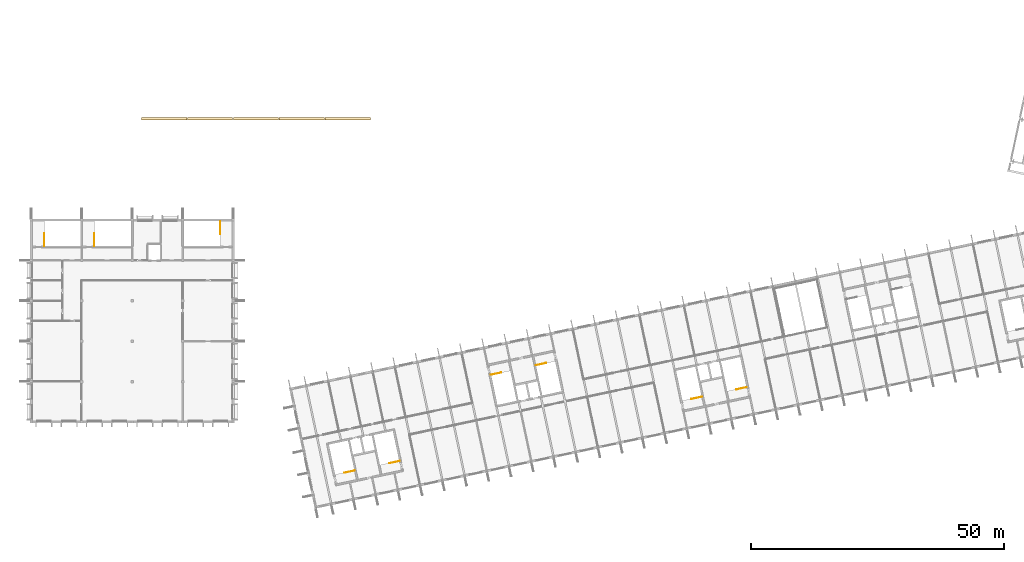
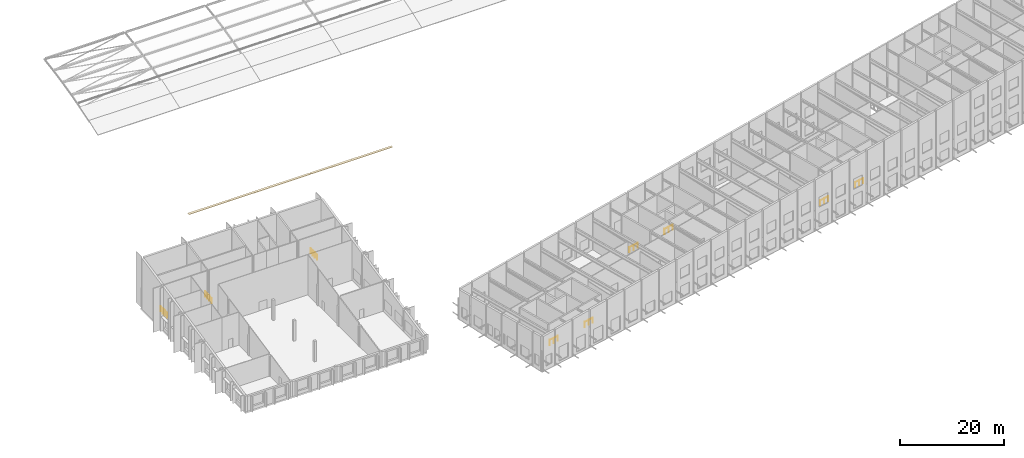
# One storey, part 68 of 69: 9 railings, 5 coverings.
"""IFC4 building model written with IfcOpenShell, lengths in metres."""

from ifc_helpers import new_model, si_unit, direction, frame, origin, origin_2d, place, context, subcontext, project, spatial, rectangle, circle, extrude, material, layer, layer_set, type_object, element, save


model = new_model("IFC4")

# Units and contexts
model_context = context("Model", 3, precision=1e-05, world=origin(), true_north=direction((0.0, 1.0)))
body_context = subcontext(model_context, "Body", "Model", "MODEL_VIEW")
ifc_project = project(units=[si_unit("LENGTHUNIT", "METRE"), si_unit("AREAUNIT", "SQUARE_METRE"), si_unit("VOLUMEUNIT", "CUBIC_METRE"), si_unit("PLANEANGLEUNIT", "RADIAN"), si_unit("MASSUNIT", "GRAM", prefix="KILO")], contexts=[model_context])

# Site, building, storey
site_placement = place(None, origin())
site = spatial("IfcSite", under=ifc_project, at=site_placement, CompositionType="ELEMENT")
building_placement = place(site_placement, origin())
building = spatial("IfcBuilding", under=site, at=building_placement, Name="Okhra Congress Centre", CompositionType="ELEMENT")
storey_placement = place(building_placement, frame((0.0, 0.0, 16.800048828125)))
storey = spatial("IfcBuildingStorey", under=building, at=storey_placement, Name="L03", CompositionType="ELEMENT", Elevation=16.800048828125)

# Railings
ifc_material_1 = material(Name="Painted steel tube guard with vertical steel balusters", Category="steel")
railing_type = type_object("IfcRailingType", Name="Steel stair guard 1200", PredefinedType="GUARDRAIL", material=ifc_material_1)
for number, where, name in (
    (1, (8.574951171875, 78.824951171875, 0.0), "L03 R1 top well guard 1"),
    (2, (18.5, 78.824951171875, 0.0), "L03 R3 top well guard 1"),
):
    element("IfcRailing", number, at=place(storey_placement, frame(where)), inside=storey, type_object=railing_type, Name=name, PredefinedType="GUARDRAIL", context=body_context, shape_type="SweptSolid", body=[
        extrude(circle(Radius=0.02392578125, at=origin_2d()), frame((0.0, 0.0, 1.17578125), z_axis=(0.0, 1.0, 0.0), x_axis=(-1.0, 0.0, 0.0)), (0.0, 0.0, 1.0), 2.550048828125),
        extrude(circle(Radius=0.02099609375, at=origin_2d()), origin(), (0.0, 0.0, 1.0), 1.15185546875),
        extrude(circle(Radius=0.02099609375, at=origin_2d()), frame((0.0, 0.85009765625, 0.0)), (0.0, 0.0, 1.0), 1.15185546875),
        extrude(circle(Radius=0.02099609375, at=origin_2d()), frame((0.0, 1.699951171875, 0.0)), (0.0, 0.0, 1.0), 1.15185546875),
        extrude(circle(Radius=0.02099609375, at=origin_2d()), frame((0.0, 2.550048828125, 0.0)), (0.0, 0.0, 1.0), 1.15185546875),
    ])
railing_1_placement = place(storey_placement, frame((43.425048828125, 83.77490234375, 0.0)))
element("IfcRailing", 3, at=railing_1_placement, inside=storey, type_object=railing_type, Name="L03 R2 top well guard 1", PredefinedType="GUARDRAIL", context=body_context, shape_type="SweptSolid", body=[
    extrude(circle(Radius=0.02392578125, at=origin_2d()), frame((0.0, 0.0, 1.17578125), z_axis=(0.0, -1.0, 0.0), x_axis=(1.0, 0.0, 0.0)), (0.0, 0.0, 1.0), 2.5498046875),
    extrude(circle(Radius=0.02099609375, at=origin_2d()), origin(), (0.0, 0.0, 1.0), 1.15185546875),
    extrude(circle(Radius=0.02099609375, at=origin_2d()), frame((0.0, -0.849853515625, 0.0)), (0.0, 0.0, 1.0), 1.15185546875),
    extrude(circle(Radius=0.02099609375, at=origin_2d()), frame((0.0, -1.699951171875, 0.0)), (0.0, 0.0, 1.0), 1.15185546875),
    extrude(circle(Radius=0.02099609375, at=origin_2d()), frame((0.0, -2.5498046875, 0.0)), (0.0, 0.0, 1.0), 1.15185546875),
])
railing_2_placement = place(storey_placement, frame((70.034912109375, 34.375732421875, 0.0)))
element("IfcRailing", 4, at=railing_2_placement, inside=storey, type_object=railing_type, Name="L03 BS1A top well guard 1", PredefinedType="GUARDRAIL", context=body_context, shape_type="SweptSolid", body=[
    extrude(circle(Radius=0.02392578125, at=origin_2d()), frame((0.0, 0.0, 1.17578125), z_axis=(-0.978153236239, -0.207885176084, 0.0), x_axis=(0.207885176084, -0.978153236239, 0.0)), (0.0, 0.0, 1.0), 2.099853515625),
    extrude(circle(Radius=0.02099609375, at=origin_2d()), origin(), (0.0, 0.0, 1.0), 1.15185546875),
    extrude(circle(Radius=0.02099609375, at=origin_2d()), frame((-1.02685546875, -0.21826171875, 0.0)), (0.0, 0.0, 1.0), 1.15185546875),
    extrude(circle(Radius=0.02099609375, at=origin_2d()), frame((-2.053955078125, -0.4365234375, 0.0)), (0.0, 0.0, 1.0), 1.15185546875),
])
railing_3_placement = place(storey_placement, frame((78.936279296875, 36.267822265625, 0.0)))
element("IfcRailing", 5, at=railing_3_placement, inside=storey, type_object=railing_type, Name="L03 BS1B top well guard 1", PredefinedType="GUARDRAIL", context=body_context, shape_type="SweptSolid", body=[
    extrude(circle(Radius=0.02392578125, at=origin_2d()), frame((0.0, 0.0, 1.17578125), z_axis=(-0.978134617382, -0.207972763311, 0.0), x_axis=(0.207972763311, -0.978134617382, 0.0)), (0.0, 0.0, 1.0), 2.10009765625),
    extrude(circle(Radius=0.02099609375, at=origin_2d()), origin(), (0.0, 0.0, 1.0), 1.15185546875),
    extrude(circle(Radius=0.02099609375, at=origin_2d()), frame((-1.027099609375, -0.21826171875, 0.0)), (0.0, 0.0, 1.0), 1.15185546875),
    extrude(circle(Radius=0.02099609375, at=origin_2d()), frame((-2.05419921875, -0.436767578125, 0.0)), (0.0, 0.0, 1.0), 1.15185546875),
])
railing_4_placement = place(storey_placement, frame((96.98046875, 53.342529296875, 0.0)))
element("IfcRailing", 6, at=railing_4_placement, inside=storey, type_object=railing_type, Name="L03 BS2A top well guard 1", PredefinedType="GUARDRAIL", context=body_context, shape_type="SweptSolid", body=[
    extrude(circle(Radius=0.02392578125, at=origin_2d()), frame((0.0, 0.0, 1.17578125), z_axis=(0.978153236239, 0.207885176084, 0.0), x_axis=(-0.207885176084, 0.978153236239, 0.0)), (0.0, 0.0, 1.0), 2.099853515625),
    extrude(circle(Radius=0.02099609375, at=origin_2d()), origin(), (0.0, 0.0, 1.0), 1.15185546875),
    extrude(circle(Radius=0.02099609375, at=origin_2d()), frame((1.02685546875, 0.21826171875, 0.0)), (0.0, 0.0, 1.0), 1.15185546875),
    extrude(circle(Radius=0.02099609375, at=origin_2d()), frame((2.053955078125, 0.4365234375, 0.0)), (0.0, 0.0, 1.0), 1.15185546875),
])
railing_5_placement = place(storey_placement, frame((105.881591796875, 55.234619140625, 0.0)))
element("IfcRailing", 7, at=railing_5_placement, inside=storey, type_object=railing_type, Name="L03 BS2B top well guard 1", PredefinedType="GUARDRAIL", context=body_context, shape_type="SweptSolid", body=[
    extrude(circle(Radius=0.02392578125, at=origin_2d()), frame((0.0, 0.0, 1.17578125), z_axis=(0.97815826, 0.207861536591, 0.0), x_axis=(-0.207861536591, 0.97815826, 0.0)), (0.0, 0.0, 1.0), 2.10009765625),
    extrude(circle(Radius=0.02099609375, at=origin_2d()), origin(), (0.0, 0.0, 1.0), 1.15185546875),
    extrude(circle(Radius=0.02099609375, at=origin_2d()), frame((1.027099609375, 0.21826171875, 0.0)), (0.0, 0.0, 1.0), 1.15185546875),
    extrude(circle(Radius=0.02099609375, at=origin_2d()), frame((2.05419921875, 0.4365234375, 0.0)), (0.0, 0.0, 1.0), 1.15185546875),
])
railing_6_placement = place(storey_placement, frame((138.798828125, 48.991943359375, 0.0)))
element("IfcRailing", 8, at=railing_6_placement, inside=storey, type_object=railing_type, Name="L03 BS3A top well guard 1", PredefinedType="GUARDRAIL", context=body_context, shape_type="SweptSolid", body=[
    extrude(circle(Radius=0.02392578125, at=origin_2d()), frame((0.0, 0.0, 1.17578125), z_axis=(-0.97815826, -0.207861536591, 0.0), x_axis=(0.207861536591, -0.97815826, 0.0)), (0.0, 0.0, 1.0), 2.10009765625),
    extrude(circle(Radius=0.02099609375, at=origin_2d()), origin(), (0.0, 0.0, 1.0), 1.15185546875),
    extrude(circle(Radius=0.02099609375, at=origin_2d()), frame((-1.027099609375, -0.21826171875, 0.0)), (0.0, 0.0, 1.0), 1.15185546875),
    extrude(circle(Radius=0.02099609375, at=origin_2d()), frame((-2.05419921875, -0.4365234375, 0.0)), (0.0, 0.0, 1.0), 1.15185546875),
])
railing_7_placement = place(storey_placement, frame((147.699951171875, 50.884033203125, 0.0)))
element("IfcRailing", 9, at=railing_7_placement, inside=storey, type_object=railing_type, Name="L03 BS3B top well guard 1", PredefinedType="GUARDRAIL", context=body_context, shape_type="SweptSolid", body=[
    extrude(circle(Radius=0.02392578125, at=origin_2d()), frame((0.0, 0.0, 1.17578125), z_axis=(-0.978134617382, -0.207972763311, 0.0), x_axis=(0.207972763311, -0.978134617382, 0.0)), (0.0, 0.0, 1.0), 2.10009765625),
    extrude(circle(Radius=0.02099609375, at=origin_2d()), origin(), (0.0, 0.0, 1.0), 1.15185546875),
    extrude(circle(Radius=0.02099609375, at=origin_2d()), frame((-1.027099609375, -0.21826171875, 0.0)), (0.0, 0.0, 1.0), 1.15185546875),
    extrude(circle(Radius=0.02099609375, at=origin_2d()), frame((-2.05419921875, -0.436767578125, 0.0)), (0.0, 0.0, 1.0), 1.15185546875),
])

# Coverings
ifc_material_2 = material(Name="Titanium-zinc ridge and valley flashing over mineral wool filler")
ifc_layer = layer(ifc_material_2, 0.1201171875)
ifc_layer_set = layer_set([ifc_layer], Name="Zinc ridge flashing 500")
covering_type = type_object("IfcCoveringType", Name="Zinc ridge flashing 500", PredefinedType="ROOFING", material=ifc_layer_set)
for number, where, z_axis, x_axis, name in (
    (10, (32.300048828125, 104.0, 2.433837890625), (0.0, 0.0, 1.0), (1.0, 0.0, 0.0), "Zinc ridge flashing"),
    (11, (41.39990234375, 104.0, 2.433837890625), (0.0, 0.0, 1.0), (1.0, 0.0, 0.0), "Zinc ridge flashing"),
    (12, (50.5, 104.0, 2.433837890625), (0.0, 0.0, 1.0), (1.0, 0.0, 0.0), "Zinc ridge flashing"),
    (13, (59.60009765625, 104.0, 2.433837890625), (0.0, 0.0, 1.0), (1.0, 0.0, 0.0), "Zinc ridge flashing"),
    (14, (68.699951171875, 104.0, 2.433837890625), (0.0, 0.0, 1.0), (1.0, 0.0, 0.0), "Zinc ridge flashing"),
):
    element("IfcCovering", number, at=place(storey_placement, frame(where, z_axis=z_axis, x_axis=x_axis)), inside=storey, type_object=covering_type, Name=name, PredefinedType="ROOFING", context=body_context, shape_type="SweptSolid", body=[
        extrude(rectangle(XDim=9.0, YDim=0.5, at=origin_2d()), origin(), (0.0, 0.0, 1.0), 0.1201171875),
    ])

save(model, "model.ifc")
